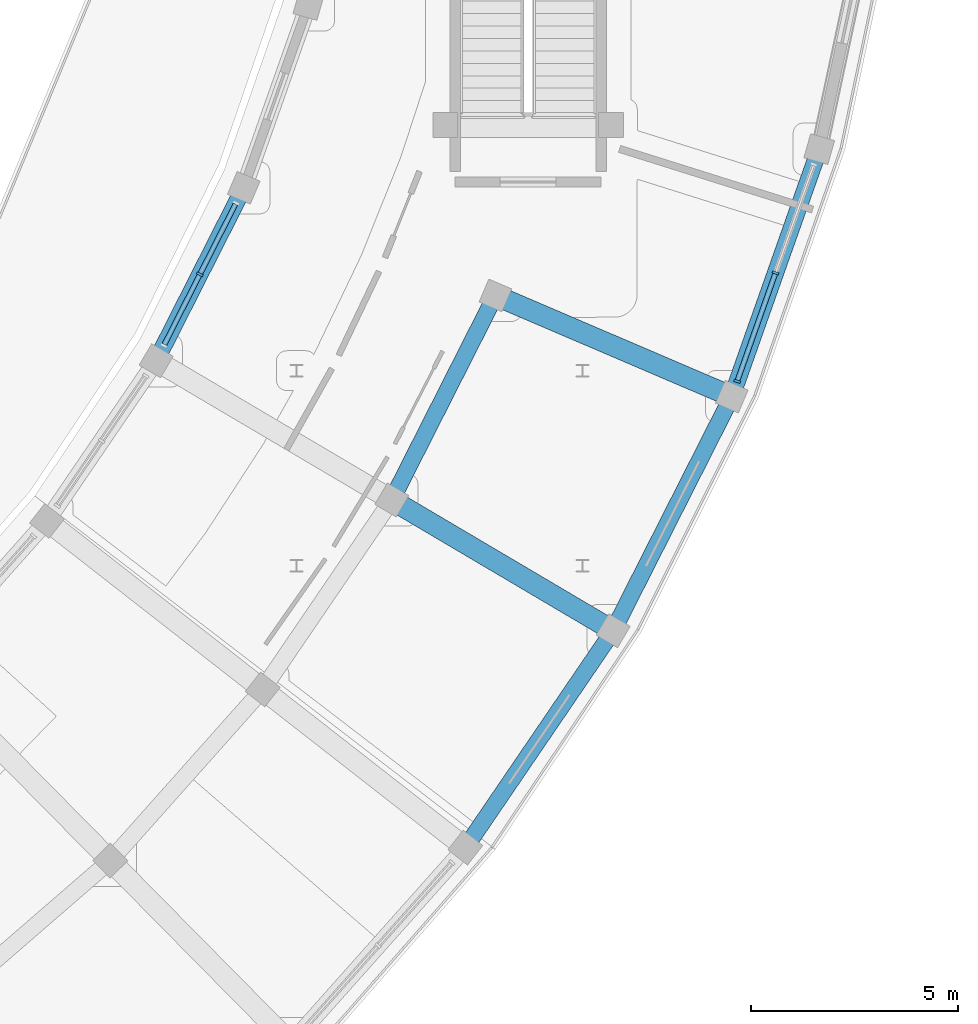
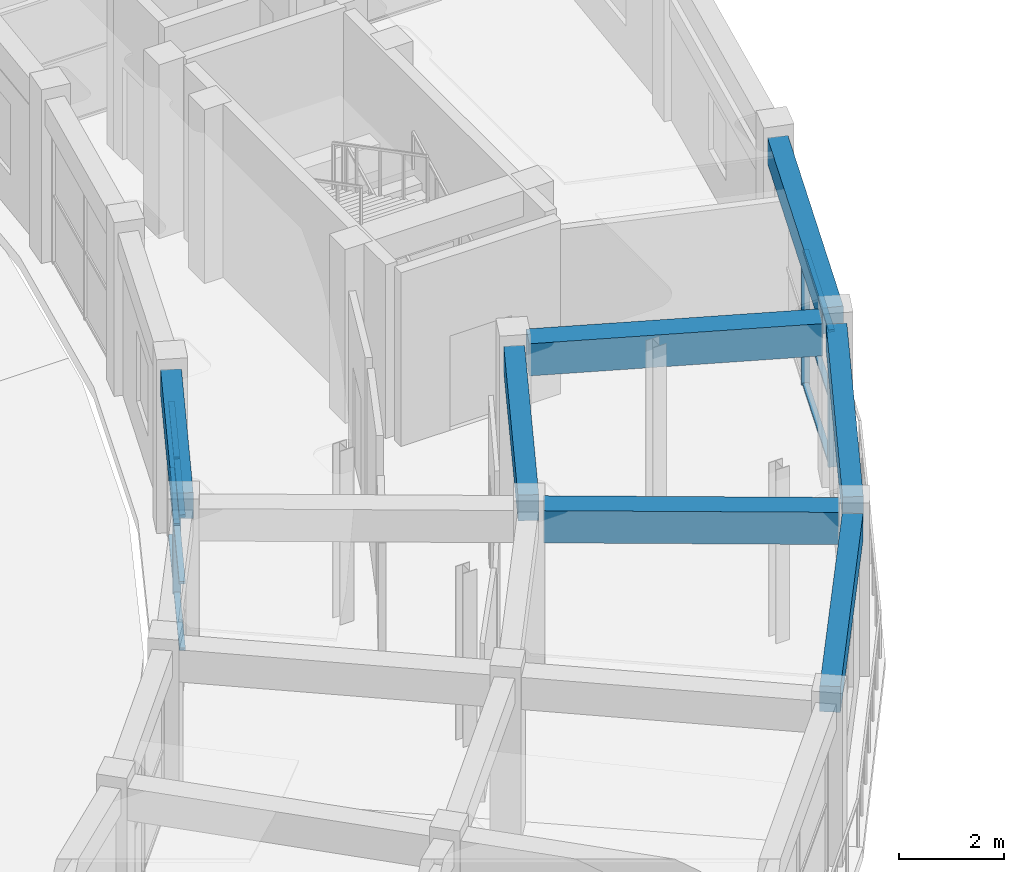
# One storey, part 22 of 83: 12 members, 7 beams, 2 elements without a shape of their own.
"""IFC4 building model written with IfcOpenShell, lengths in metres."""

from ifc_helpers import new_model, si_unit, direction, frame, origin, origin_2d, place, context, subcontext, project, spatial, rectangle, extrude, material, material_profile, profile_set, type_object, element, aggregate, save


model = new_model("IFC4")

# Units and contexts
model_context = context("Model", 3, precision=1e-05, world=origin(), true_north=direction((0.0, 1.0)))
body_context = subcontext(model_context, "Body", "Model", "MODEL_VIEW")
ifc_project = project(units=[si_unit("LENGTHUNIT", "METRE"), si_unit("AREAUNIT", "SQUARE_METRE"), si_unit("VOLUMEUNIT", "CUBIC_METRE"), si_unit("PLANEANGLEUNIT", "RADIAN"), si_unit("MASSUNIT", "GRAM", prefix="KILO")], contexts=[model_context])

# Site, building, storey
site_placement = place(None, origin())
site = spatial("IfcSite", under=ifc_project, at=site_placement, CompositionType="ELEMENT")
building_placement = place(site_placement, origin())
building = spatial("IfcBuilding", under=site, at=building_placement, Name="Saryqyr Civic Hall", CompositionType="ELEMENT")
storey_placement = place(building_placement, frame((0.0, 0.0, 9.14990234375)))
storey = spatial("IfcBuildingStorey", under=building, at=storey_placement, Name="L02", CompositionType="ELEMENT", Elevation=9.14990234375)

# Curtain wall, member
ifc_material_1 = material(Name="Anodised aluminium and triple low-E glass", Category="aluminium")
curtain_wall_type_1 = type_object("IfcCurtainWallType", Name="ENV-CW-STD-25", PredefinedType="NOTDEFINED", material=ifc_material_1)
curtain_wall_1_placement = place(storey_placement, origin())
curtain_wall_1 = element("IfcCurtainWall", 1, at=curtain_wall_1_placement, inside=storey, type_object=curtain_wall_type_1, Name="Curtain wall V5-CWI-L02-06", PredefinedType="NOTDEFINED")
ifc_material_2 = material(Name="Anodised aluminium", Category="aluminium")
ifc_material_profile_1 = material_profile(ifc_material_2, rectangle(XDim=0.06005859375, YDim=0.159912109375, at=origin_2d()), Name="ALU MULLION 60x160")
ifc_profile_set_1 = profile_set([ifc_material_profile_1], Name="Anodised aluminium")
member_type_1 = type_object("IfcMemberType", Name="ENV-CW-MUL-180", PredefinedType="MULLION", material=ifc_profile_set_1)
member_1_placement = place(storey_placement, frame((89.224853515625, 67.67431640625, 0.0), z_axis=(0.0, 0.0, 1.0), x_axis=(0.451909750219, 0.892063662334, 0.0)))
member_1 = element("IfcMember", 2, at=member_1_placement, type_object=member_type_1, Name="CW-25 mullion 2", PredefinedType="MULLION", context=body_context, shape_type="SweptSolid", body=[
    extrude(rectangle(XDim=0.06005859375, YDim=0.159912109375, at=origin_2d()), origin(), (0.0, 0.0, 1.0), 3.1650390625),
])

# Curtain wall, members
curtain_wall_type_2 = type_object("IfcCurtainWallType", Name="ENV-CW-STD-40", PredefinedType="NOTDEFINED", material=ifc_material_1)
curtain_wall_2_placement = place(storey_placement, origin())
curtain_wall_2 = element("IfcCurtainWall", 3, at=curtain_wall_2_placement, inside=storey, type_object=curtain_wall_type_2, Name="Curtain wall V5-CWO-L02-07", PredefinedType="NOTDEFINED")
member_2_placement = place(storey_placement, frame((103.103759765625, 67.707763671875, 0.0), z_axis=(0.0, 0.0, 1.0), x_axis=(-0.33318018147, -0.942863174949, 0.0)))
member_2 = element("IfcMember", 4, at=member_2_placement, type_object=member_type_1, Name="CW-40 mullion 2", PredefinedType="MULLION", context=body_context, shape_type="SweptSolid", body=[
    extrude(rectangle(XDim=0.06005859375, YDim=0.159912109375, at=origin_2d()), origin(), (0.0, 0.0, 1.0), 3.1650390625),
])
member_3_placement = place(storey_placement, frame((102.1796875, 65.0927734375, 0.0), z_axis=(0.0, 0.0, 1.0), x_axis=(-0.33318018147, -0.942863174949, 0.0)))
member_3 = element("IfcMember", 5, at=member_3_placement, type_object=member_type_1, Name="CW-40 mullion 3", PredefinedType="MULLION", context=body_context, shape_type="SweptSolid", body=[
    extrude(rectangle(XDim=0.06005859375, YDim=0.159912109375, at=origin_2d()), origin(), (0.0, 0.0, 1.0), 3.1650390625),
])

# Member
ifc_material_profile_2 = material_profile(ifc_material_2, rectangle(XDim=0.1201171875, YDim=0.06005859375, at=origin_2d()), Name="ALU TRANSOM 120x60")
ifc_profile_set_2 = profile_set([ifc_material_profile_2], Name="Anodised aluminium")
member_type_2 = type_object("IfcMemberType", Name="ENV-CW-TRN-150", PredefinedType="USERDEFINED", material=ifc_profile_set_2)
member_4_placement = place(storey_placement, frame((88.367919921875, 65.982421875, 0.030029296875), z_axis=(0.451916221053, 0.89206038425, 0.0), x_axis=(-0.89206038425, 0.451916221053, 0.0)))
member_4 = element("IfcMember", 6, at=member_4_placement, type_object=member_type_2, Name="CW-25 transom 1.1", ObjectType="TRANSOM", PredefinedType="USERDEFINED", context=body_context, shape_type="SweptSolid", body=[
    extrude(rectangle(XDim=0.1201171875, YDim=0.06005859375, at=origin_2d()), origin(), (0.0, 0.0, 1.0), 1.866455078125),
])

member_5_placement = place(storey_placement, frame((88.367919921875, 65.982421875, 1.58203125), z_axis=(0.451916221053, 0.89206038425, 0.0), x_axis=(-0.89206038425, 0.451916221053, 0.0)))
member_5 = element("IfcMember", 7, at=member_5_placement, type_object=member_type_2, Name="CW-25 transom 1.2", ObjectType="TRANSOM", PredefinedType="USERDEFINED", context=body_context, shape_type="SweptSolid", body=[
    extrude(rectangle(XDim=0.1201171875, YDim=0.06005859375, at=origin_2d()), origin(), (0.0, 0.0, 1.0), 1.866455078125),
])

member_6_placement = place(storey_placement, frame((88.367919921875, 65.982421875, 3.135009765625), z_axis=(0.451916221053, 0.89206038425, 0.0), x_axis=(-0.89206038425, 0.451916221053, 0.0)))
member_6 = element("IfcMember", 8, at=member_6_placement, type_object=member_type_2, Name="CW-25 transom 1.3", ObjectType="TRANSOM", PredefinedType="USERDEFINED", context=body_context, shape_type="SweptSolid", body=[
    extrude(rectangle(XDim=0.1201171875, YDim=0.06005859375, at=origin_2d()), origin(), (0.0, 0.0, 1.0), 1.866455078125),
])

member_7_placement = place(storey_placement, frame((89.238525390625, 67.701171875, 0.030029296875), z_axis=(0.451968956938, 0.892033666385, 0.0), x_axis=(-0.892033666385, 0.451968956938, 0.0)))
member_7 = element("IfcMember", 9, at=member_7_placement, type_object=member_type_2, Name="CW-25 transom 2.1", ObjectType="TRANSOM", PredefinedType="USERDEFINED", context=body_context, shape_type="SweptSolid", body=[
    extrude(rectangle(XDim=0.1201171875, YDim=0.06005859375, at=origin_2d()), origin(), (0.0, 0.0, 1.0), 1.8662109375),
])

member_8_placement = place(storey_placement, frame((89.238525390625, 67.701171875, 1.58203125), z_axis=(0.451968956938, 0.892033666385, 0.0), x_axis=(-0.892033666385, 0.451968956938, 0.0)))
member_8 = element("IfcMember", 10, at=member_8_placement, type_object=member_type_2, Name="CW-25 transom 2.2", ObjectType="TRANSOM", PredefinedType="USERDEFINED", context=body_context, shape_type="SweptSolid", body=[
    extrude(rectangle(XDim=0.1201171875, YDim=0.06005859375, at=origin_2d()), origin(), (0.0, 0.0, 1.0), 1.8662109375),
])

member_9_placement = place(storey_placement, frame((89.238525390625, 67.701171875, 3.135009765625), z_axis=(0.451968956938, 0.892033666385, 0.0), x_axis=(-0.892033666385, 0.451968956938, 0.0)))
member_9 = element("IfcMember", 11, at=member_9_placement, type_object=member_type_2, Name="CW-25 transom 2.3", ObjectType="TRANSOM", PredefinedType="USERDEFINED", context=body_context, shape_type="SweptSolid", body=[
    extrude(rectangle(XDim=0.1201171875, YDim=0.06005859375, at=origin_2d()), origin(), (0.0, 0.0, 1.0), 1.8662109375),
])

aggregate(curtain_wall_1, [member_1, member_4, member_5, member_6, member_7, member_8, member_9])

member_10_placement = place(storey_placement, frame((103.09375, 67.679443359375, 0.030029296875), z_axis=(-0.333182490283, -0.94286235908, 0.0), x_axis=(0.94286235908, -0.333182490283, 0.0)))
member_10 = element("IfcMember", 12, at=member_10_placement, type_object=member_type_2, Name="CW-40 transom 2.1", ObjectType="TRANSOM", PredefinedType="USERDEFINED", context=body_context, shape_type="SweptSolid", body=[
    extrude(rectangle(XDim=0.1201171875, YDim=0.06005859375, at=origin_2d()), origin(), (0.0, 0.0, 1.0), 2.71337890625),
])

member_11_placement = place(storey_placement, frame((103.09375, 67.679443359375, 1.58203125), z_axis=(-0.333182490283, -0.94286235908, 0.0), x_axis=(0.94286235908, -0.333182490283, 0.0)))
member_11 = element("IfcMember", 13, at=member_11_placement, type_object=member_type_2, Name="CW-40 transom 2.2", ObjectType="TRANSOM", PredefinedType="USERDEFINED", context=body_context, shape_type="SweptSolid", body=[
    extrude(rectangle(XDim=0.1201171875, YDim=0.06005859375, at=origin_2d()), origin(), (0.0, 0.0, 1.0), 2.71337890625),
])

member_12_placement = place(storey_placement, frame((103.09375, 67.679443359375, 3.135009765625), z_axis=(-0.333182490283, -0.94286235908, 0.0), x_axis=(0.94286235908, -0.333182490283, 0.0)))
member_12 = element("IfcMember", 14, at=member_12_placement, type_object=member_type_2, Name="CW-40 transom 2.3", ObjectType="TRANSOM", PredefinedType="USERDEFINED", context=body_context, shape_type="SweptSolid", body=[
    extrude(rectangle(XDim=0.1201171875, YDim=0.06005859375, at=origin_2d()), origin(), (0.0, 0.0, 1.0), 2.71337890625),
])

aggregate(curtain_wall_2, [member_2, member_3, member_10, member_11, member_12])

# Beams
ifc_material_3 = material(Name="Concrete C35/45", Category="concrete")
ifc_material_profile_3 = material_profile(ifc_material_3, rectangle(XDim=0.39990234375, YDim=0.60009765625, at=origin_2d()), Name="RC 400x600")
ifc_profile_set_3 = profile_set([ifc_material_profile_3], Name="Concrete C35/45")
beam_type_1 = type_object("IfcBeamType", Name="STR-BM-RC400x600", PredefinedType="BEAM", material=ifc_profile_set_3)
beam_1_placement = place(storey_placement, frame((93.9755859375, 62.4775390625, 3.489990234375), z_axis=(0.451915877682, 0.892060558202, 0.0), x_axis=(-0.892060558202, 0.451915877682, 0.0)))
element("IfcBeam", 15, at=beam_1_placement, inside=storey, type_object=beam_type_1, Name="Beam V5-CBM-MID06-L02", PredefinedType="BEAM", context=body_context, shape_type="SweptSolid", body=[
    extrude(rectangle(XDim=0.39990234375, YDim=0.60009765625, at=origin_2d()), origin(), (0.0, 0.0, 1.0), 4.977783203125),
])
ifc_material_profile_4 = material_profile(ifc_material_3, rectangle(XDim=0.39990234375, YDim=0.60009765625, at=origin_2d()), Name="RC 400x600")
ifc_profile_set_4 = profile_set([ifc_material_profile_4], Name="Concrete C35/45")
beam_type_2 = type_object("IfcBeamType", Name="STR-BM-RC400x600-EXT", PredefinedType="BEAM", material=ifc_profile_set_4)
beam_2_placement = place(storey_placement, frame((95.780517578125, 54.07666015625, 3.489990234375), z_axis=(0.563115242299, 0.82637837816, 0.0), x_axis=(-0.82637837816, 0.563115242299, 0.0)))
element("IfcBeam", 16, at=beam_2_placement, inside=storey, type_object=beam_type_2, Name="Beam V5-CBM-OUT05-L02", PredefinedType="BEAM", context=body_context, shape_type="SweptSolid", body=[
    extrude(rectangle(XDim=0.39990234375, YDim=0.60009765625, at=origin_2d()), origin(), (0.0, 0.0, 1.0), 5.7783203125),
])
beam_3_placement = place(storey_placement, frame((88.292724609375, 65.834228515625, 3.489990234375), z_axis=(0.45189446959, 0.89207140317, 0.0), x_axis=(-0.89207140317, 0.45189446959, 0.0)))
element("IfcBeam", 17, at=beam_3_placement, inside=storey, type_object=beam_type_2, Name="Beam V5-CBM-IN06-L02", PredefinedType="BEAM", context=body_context, shape_type="SweptSolid", body=[
    extrude(rectangle(XDim=0.39990234375, YDim=0.60009765625, at=origin_2d()), origin(), (0.0, 0.0, 1.0), 4.12548828125),
])
for number, where, z_axis, x_axis, name in (
    (18, (99.313720703125, 59.324462890625, 3.489990234375), (0.451922654691, 0.892057124952, 0.0), (-0.892057124952, 0.451922654691, 0.0), "Beam V5-CBM-OUT06-L02"),
    (19, (102.14111328125, 64.983642578125, 3.489990234375), (0.333186956354, 0.942860780877, 0.0), (-0.942860780877, 0.333186956354, 0.0), "Beam V5-CBM-OUT07-L02"),
):
    element("IfcBeam", number, at=place(storey_placement, frame(where, z_axis=z_axis, x_axis=x_axis)), inside=storey, type_object=beam_type_2, Name=name, PredefinedType="BEAM", context=body_context, shape_type="SweptSolid", body=[
        extrude(rectangle(XDim=0.39990234375, YDim=0.60009765625, at=origin_2d()), origin(), (0.0, 0.0, 1.0), 5.7783203125),
    ])
ifc_material_4 = material(Name="Concrete C40/50", Category="concrete")
ifc_material_profile_5 = material_profile(ifc_material_4, rectangle(XDim=0.5, YDim=0.75, at=origin_2d()), Name="RC 500x750")
ifc_profile_set_5 = profile_set([ifc_material_profile_5], Name="Concrete C40/50")
beam_type_3 = type_object("IfcBeamType", Name="STR-BM-RC500x750", PredefinedType="BEAM", material=ifc_profile_set_5)
beam_4_placement = place(storey_placement, frame((94.087890625, 62.09228515625, 3.4150390625), z_axis=(0.861029741325, -0.508554603315, 0.0), x_axis=(0.508554603315, 0.861029741325, 0.0)))
element("IfcBeam", 20, at=beam_4_placement, inside=storey, type_object=beam_type_3, Name="Beam V5-RBM-B06-L02", PredefinedType="BEAM", context=body_context, shape_type="SweptSolid", body=[
    extrude(rectangle(XDim=0.5, YDim=0.75, at=origin_2d()), origin(), (0.0, 0.0, 1.0), 5.64990234375),
])
beam_5_placement = place(storey_placement, frame((96.60205078125, 67.05517578125, 3.4150390625), z_axis=(0.919375077042, -0.393382088706, 0.0), x_axis=(0.393382088706, 0.919375077042, 0.0)))
element("IfcBeam", 21, at=beam_5_placement, inside=storey, type_object=beam_type_3, Name="Beam V5-RBM-B07-L02", PredefinedType="BEAM", context=body_context, shape_type="SweptSolid", body=[
    extrude(rectangle(XDim=0.5, YDim=0.75, at=origin_2d()), origin(), (0.0, 0.0, 1.0), 5.650146484375),
])

save(model, "model.ifc")
